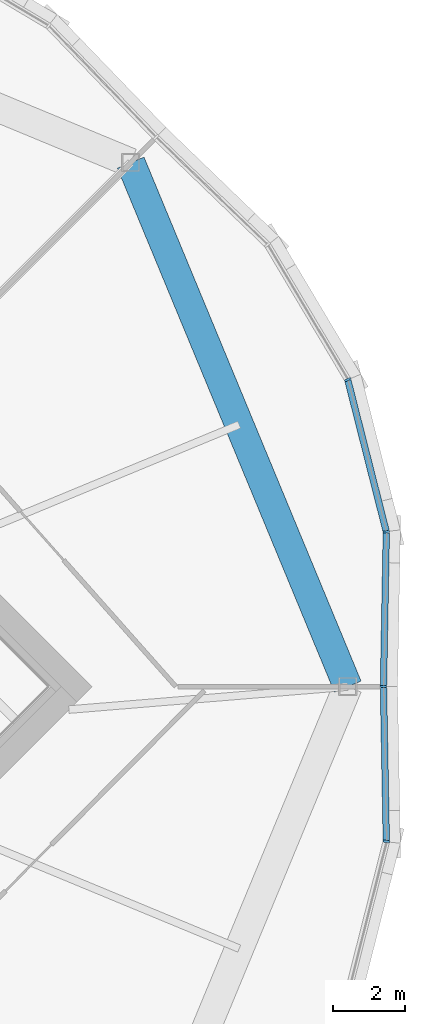
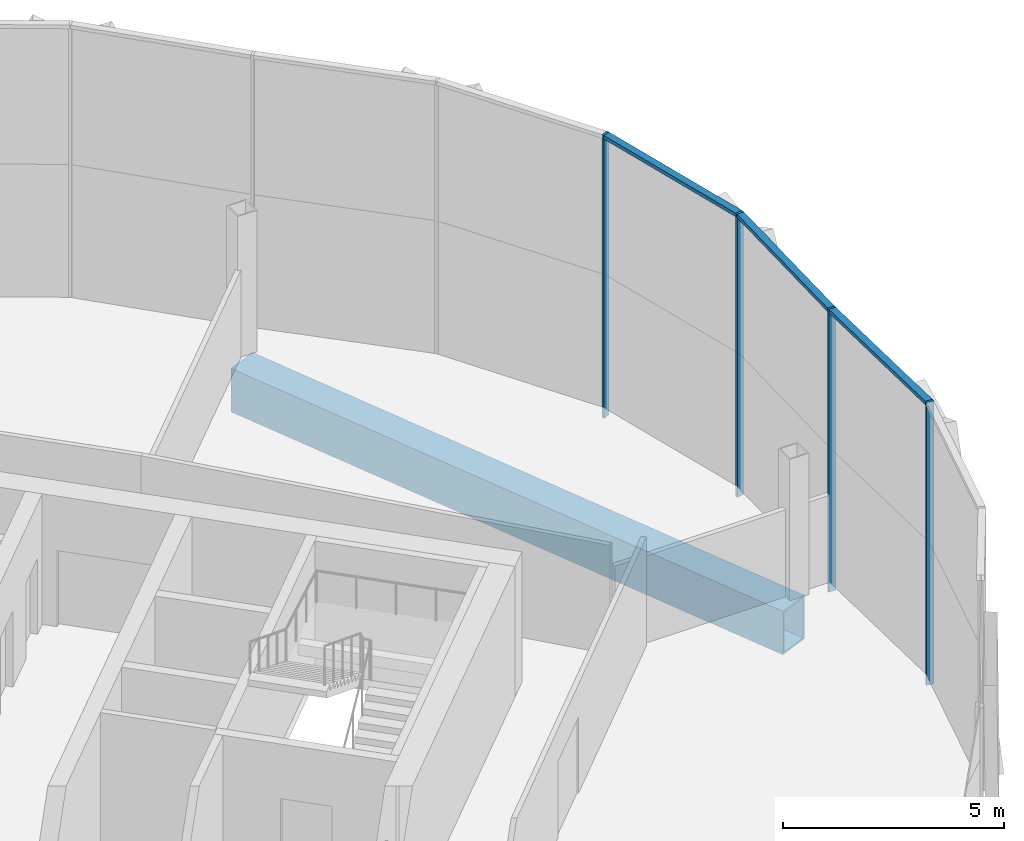
# One storey, part 13 of 27: 7 members, 1 beam, 2 elements without a shape of their own.
"""IFC4 building model written with IfcOpenShell, lengths in metres."""

from ifc_helpers import new_model, si_unit, direction, frame, origin, origin_2d, place, context, subcontext, project, spatial, rectangle, hollow_rectangle, extrude, material, material_profile, profile_set, type_object, element, aggregate, save


model = new_model("IFC4")

# Units and contexts
model_context = context("Model", 3, precision=1e-05, world=origin(), true_north=direction((0.0, 1.0)))
body_context = subcontext(model_context, "Body", "Model", "MODEL_VIEW")
ifc_project = project(units=[si_unit("LENGTHUNIT", "METRE"), si_unit("AREAUNIT", "SQUARE_METRE"), si_unit("VOLUMEUNIT", "CUBIC_METRE"), si_unit("PLANEANGLEUNIT", "RADIAN"), si_unit("MASSUNIT", "GRAM", prefix="KILO")], contexts=[model_context])

# Site, building, storey
site_placement = place(None, origin())
site = spatial("IfcSite", under=ifc_project, at=site_placement, CompositionType="ELEMENT")
building_placement = place(site_placement, origin())
building = spatial("IfcBuilding", under=site, at=building_placement, Name="Ogive Gate Towers", CompositionType="ELEMENT")
storey_placement = place(building_placement, frame((0.0, 0.0, 189.0)))
storey = spatial("IfcBuildingStorey", under=building, at=storey_placement, Name="L45", CompositionType="ELEMENT", Elevation=189.0)

# Beam
ifc_material_1 = material(Name="Steel SM460", Category="steel")
ifc_material_profile_1 = material_profile(ifc_material_1, hollow_rectangle(XDim=0.800048828125, YDim=1.199951171875, WallThickness=0.050048828125, at=origin_2d()), Name="BX 1200x800x50")
ifc_profile_set_1 = profile_set([ifc_material_profile_1], Name="Steel SM460")
beam_type = type_object("IfcBeamType", Name="Edge girder BX 1200x800x50", PredefinedType="BEAM", material=ifc_profile_set_1)
beam_placement = place(storey_placement, frame((56.52001953125, 0.0, -0.89990234375), z_axis=(-0.38268953008, 0.923877006731, 0.0), x_axis=(-0.923877006731, -0.38268953008, 0.0)))
element("IfcBeam", 1, at=beam_placement, inside=storey, type_object=beam_type, Name="T2/L45/SBM020", PredefinedType="BEAM", context=body_context, shape_type="SweptSolid", body=[
    extrude(hollow_rectangle(XDim=0.800048828125, YDim=1.199951171875, WallThickness=0.050048828125, at=origin_2d()), origin(), (0.0, 0.0, 1.0), 15.705322265625),
])

# Curtain wall, members
ifc_material_2 = material(Name="Pale metal aluminium", Category="aluminium")
curtain_wall_type = type_object("IfcCurtainWallType", Name="Tower unitised wall, high zone", PredefinedType="NOTDEFINED", material=ifc_material_2)
curtain_wall_1_placement = place(storey_placement, origin())
curtain_wall_1 = element("IfcCurtainWall", 2, at=curtain_wall_1_placement, inside=storey, type_object=curtain_wall_type, Name="CW2 T2 ECW01", PredefinedType="NOTDEFINED")
ifc_material_profile_2 = material_profile(ifc_material_2, rectangle(XDim=0.179931640625, YDim=0.06005859375, at=origin_2d()), Name="60 x 180 aluminium box")
ifc_profile_set_2 = profile_set([ifc_material_profile_2], Name="Pale metal aluminium")
member_type_1 = type_object("IfcMemberType", Name="Tower unitised wall, high zone mullion 60 x 180", PredefinedType="MULLION", material=ifc_profile_set_2)
member_1_placement = place(storey_placement, frame((57.510009765625, 0.000244140625, -0.300048828125), z_axis=(0.0, 0.0, 1.0), x_axis=(0.999830481388, -0.018412183135, 0.0)))
member_1 = element("IfcMember", 3, at=member_1_placement, type_object=member_type_1, Name="CW2 mullion", PredefinedType="MULLION", context=body_context, shape_type="SweptSolid", body=[
    extrude(rectangle(XDim=0.179931640625, YDim=0.06005859375, at=origin_2d()), origin(), (0.0, 0.0, 1.0), 7.800048828125),
])
member_2_placement = place(storey_placement, frame((57.589111328125, 4.286865234375, -0.300048828125), z_axis=(0.0, 0.0, 1.0), x_axis=(0.993394813642, 0.114746434496, 0.0)))
member_2 = element("IfcMember", 4, at=member_2_placement, type_object=member_type_1, Name="CW2 mullion", PredefinedType="MULLION", context=body_context, shape_type="SweptSolid", body=[
    extrude(rectangle(XDim=0.179931640625, YDim=0.06005859375, at=origin_2d()), origin(), (0.0, 0.0, 1.0), 7.800048828125),
])
member_3_placement = place(storey_placement, frame((56.5205078125, 8.499755859375, -0.300048828125), z_axis=(0.0, 0.0, 1.0), x_axis=(0.923879532511, 0.382683432365, 0.0)))
member_3 = element("IfcMember", 5, at=member_3_placement, type_object=member_type_1, Name="CW2 mullion", PredefinedType="MULLION", context=body_context, shape_type="SweptSolid", body=[
    extrude(rectangle(XDim=0.179931640625, YDim=0.06005859375, at=origin_2d()), origin(), (0.0, 0.0, 1.0), 7.800048828125),
])

# Curtain wall, member
curtain_wall_2_placement = place(storey_placement, origin())
curtain_wall_2 = element("IfcCurtainWall", 6, at=curtain_wall_2_placement, inside=storey, type_object=curtain_wall_type, Name="CW2 T2 ECW08", PredefinedType="NOTDEFINED")
member_4_placement = place(storey_placement, frame((57.589111328125, -4.286865234375, -0.300048828125), z_axis=(0.0, 0.0, 1.0), x_axis=(0.993394813642, -0.114746434496, 0.0)))
member_4 = element("IfcMember", 7, at=member_4_placement, type_object=member_type_1, Name="CW2 mullion", PredefinedType="MULLION", context=body_context, shape_type="SweptSolid", body=[
    extrude(rectangle(XDim=0.179931640625, YDim=0.06005859375, at=origin_2d()), origin(), (0.0, 0.0, 1.0), 7.800048828125),
])

# Member
ifc_material_profile_3 = material_profile(ifc_material_2, rectangle(XDim=0.179931640625, YDim=0.10009765625, at=origin_2d()), Name="100 x 180 aluminium box")
ifc_profile_set_3 = profile_set([ifc_material_profile_3], Name="Pale metal aluminium")
member_type_2 = type_object("IfcMemberType", Name="Tower unitised wall, high zone transom 100 x 180", PredefinedType="USERDEFINED", material=ifc_profile_set_3)
member_5_placement = place(storey_placement, frame((57.510498046875, 0.0302734375, 7.449951171875), z_axis=(0.018417016697, 0.999830392365, 0.0), x_axis=(-0.999830392365, 0.018417016697, 0.0)))
member_5 = element("IfcMember", 8, at=member_5_placement, type_object=member_type_2, Name="CW2 transom", ObjectType="TRANSOM", PredefinedType="USERDEFINED", context=body_context, shape_type="SweptSolid", body=[
    extrude(rectangle(XDim=0.179931640625, YDim=0.10009765625, at=origin_2d()), origin(), (0.0, 0.0, 1.0), 4.228759765625),
])

member_6_placement = place(storey_placement, frame((57.581787109375, 4.314697265625, 7.449951171875), z_axis=(-0.245842336798, 0.969309829434, 0.0), x_axis=(-0.969309829434, -0.245842336798, 0.0)))
member_6 = element("IfcMember", 9, at=member_6_placement, type_object=member_type_2, Name="CW2 transom", ObjectType="TRANSOM", PredefinedType="USERDEFINED", context=body_context, shape_type="SweptSolid", body=[
    extrude(rectangle(XDim=0.179931640625, YDim=0.10009765625, at=origin_2d()), origin(), (0.0, 0.0, 1.0), 4.2890625),
])

aggregate(curtain_wall_1, [member_1, member_2, member_5, member_3, member_6])

member_7_placement = place(storey_placement, frame((57.58837890625, -4.25830078125, 7.449951171875), z_axis=(-0.018417016697, 0.999830392365, 0.0), x_axis=(-0.999830392365, -0.018417016697, 0.0)))
member_7 = element("IfcMember", 10, at=member_7_placement, type_object=member_type_2, Name="CW2 transom", ObjectType="TRANSOM", PredefinedType="USERDEFINED", context=body_context, shape_type="SweptSolid", body=[
    extrude(rectangle(XDim=0.179931640625, YDim=0.10009765625, at=origin_2d()), origin(), (0.0, 0.0, 1.0), 4.228759765625),
])

aggregate(curtain_wall_2, [member_4, member_7])

save(model, "model.ifc")
